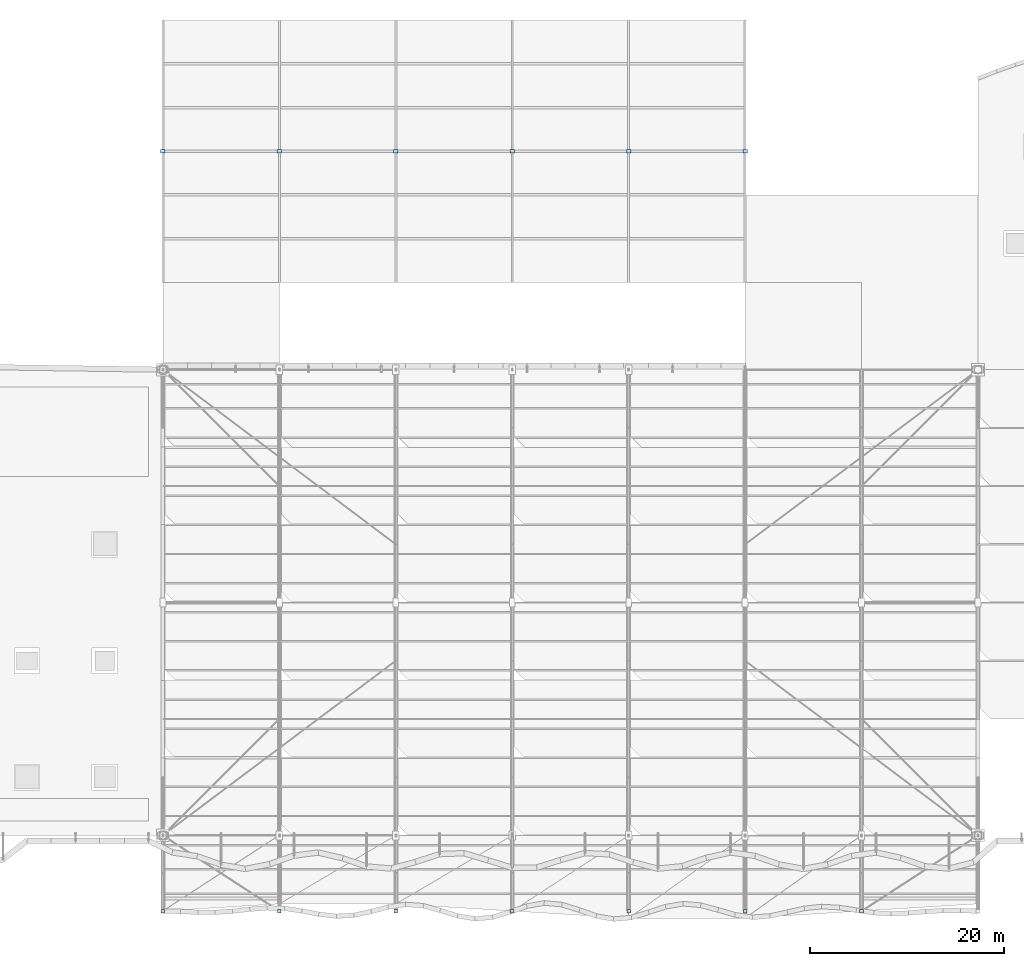
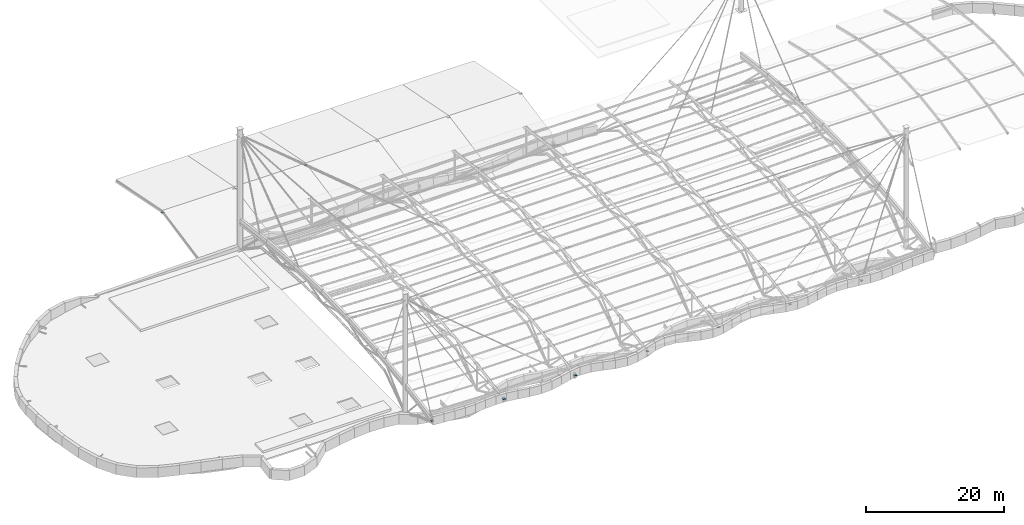
# One storey, part 21 of 29: 13 plates.
"""IFC4 building model written with IfcOpenShell, lengths in metres."""

from ifc_helpers import new_model, si_unit, direction, frame, origin, origin_2d, place, context, subcontext, project, spatial, rectangle, extrude, material, layer, layer_set, type_object, element, save


model = new_model("IFC4")

# Units and contexts
model_context = context("Model", 3, precision=1e-05, world=origin(), true_north=direction((0.0, 1.0)))
body_context = subcontext(model_context, "Body", "Model", "MODEL_VIEW")
ifc_project = project(units=[si_unit("LENGTHUNIT", "METRE"), si_unit("AREAUNIT", "SQUARE_METRE"), si_unit("VOLUMEUNIT", "CUBIC_METRE"), si_unit("PLANEANGLEUNIT", "RADIAN"), si_unit("MASSUNIT", "GRAM", prefix="KILO")], contexts=[model_context])

# Site, building, storey
site_placement = place(None, origin())
site = spatial("IfcSite", under=ifc_project, at=site_placement, CompositionType="ELEMENT")
building_placement = place(site_placement, origin())
building = spatial("IfcBuilding", under=site, at=building_placement, Name="Keelwater Ferry Terminal", CompositionType="ELEMENT")
storey_placement = place(building_placement, frame((0.0, 0.0, 27.89990234375)))
storey = spatial("IfcBuildingStorey", under=building, at=storey_placement, Name="RF", CompositionType="ELEMENT", Elevation=27.89990234375)

# Plates
ifc_material_1 = material(Name="Steel S355", Category="steel")
ifc_layer_1 = layer(ifc_material_1, 0.02490234375)
ifc_layer_set_1 = layer_set([ifc_layer_1], Name="Steel S355")
plate_type_1 = type_object("IfcPlateType", Name="CP4 380x380x25", PredefinedType="USERDEFINED", material=ifc_layer_set_1)
for number, where, z_axis, x_axis, name in (
    (1, (48.0, 34.199951171875, -9.51025390625), (0.0, 0.0, 1.0), (0.0, 1.0, 0.0), "Connection Gusset Plate 1"),
    (2, (60.0, 34.199951171875, -9.84326171875), (0.0, 0.0, 1.0), (0.0, 1.0, 0.0), "Connection Gusset Plate 5"),
    (3, (72.0, 34.199951171875, -9.8583984375), (0.0, 0.0, 1.0), (0.0, 1.0, 0.0), "Connection Gusset Plate 9"),
    (4, (84.0, 34.199951171875, -9.775390625), (0.0, 0.0, 1.0), (0.0, 1.0, 0.0), "Connection Gusset Plate 13"),
    (5, (96.0, 34.199951171875, -9.775390625), (0.0, 0.0, 1.0), (0.0, 1.0, 0.0), "Connection Gusset Plate 17"),
    (6, (108.0, 34.199951171875, -9.8583984375), (0.0, 0.0, 1.0), (0.0, 1.0, 0.0), "Connection Gusset Plate 21"),
    (7, (120.0, 34.199951171875, -9.84326171875), (0.0, 0.0, 1.0), (0.0, 1.0, 0.0), "Connection Gusset Plate 24"),
):
    element("IfcPlate", number, at=place(storey_placement, frame(where, z_axis=z_axis, x_axis=x_axis)), inside=storey, type_object=plate_type_1, Name=name, ObjectType="GUSSET PLATE", PredefinedType="USERDEFINED", context=body_context, shape_type="SweptSolid", body=[
        extrude(rectangle(XDim=0.3798828125, YDim=0.3798828125, at=origin_2d()), origin(), (0.0, 0.0, 1.0), 0.02490234375),
    ])
ifc_material_2 = material(Name="Steel S355", Category="steel")
ifc_layer_2 = layer(ifc_material_2, 0.01806640625)
ifc_layer_set_2 = layer_set([ifc_layer_2], Name="Steel S355")
plate_type_2 = type_object("IfcPlateType", Name="GP8 480x320x18", PredefinedType="USERDEFINED", material=ifc_layer_set_2)
for number, where, z_axis, x_axis, name in (
    (8, (48.0, 112.5, -20.058837890625), (0.0, 0.0, 1.0), (1.0, 0.0, 0.0), "Connection Gusset Plate 30"),
    (9, (60.0, 112.5, -20.058837890625), (0.0, 0.0, 1.0), (1.0, 0.0, 0.0), "Connection Gusset Plate 33"),
    (10, (72.0, 112.5, -20.058837890625), (0.0, 0.0, 1.0), (1.0, 0.0, 0.0), "Connection Gusset Plate 36"),
    (11, (84.0, 112.5, -20.058837890625), (0.0, 0.0, 1.0), (1.0, 0.0, 0.0), "Connection Gusset Plate 39"),
    (12, (96.0, 112.5, -20.058837890625), (0.0, 0.0, 1.0), (1.0, 0.0, 0.0), "Connection Gusset Plate 42"),
    (13, (108.0, 112.5, -20.058837890625), (0.0, 0.0, 1.0), (1.0, 0.0, 0.0), "Connection Gusset Plate 45"),
):
    element("IfcPlate", number, at=place(storey_placement, frame(where, z_axis=z_axis, x_axis=x_axis)), inside=storey, type_object=plate_type_2, Name=name, ObjectType="GUSSET PLATE", PredefinedType="USERDEFINED", context=body_context, shape_type="SweptSolid", body=[
        extrude(rectangle(XDim=0.47998046875, YDim=0.320068359375, at=origin_2d()), origin(), (0.0, 0.0, 1.0), 0.01806640625),
    ])

save(model, "model.ifc")
